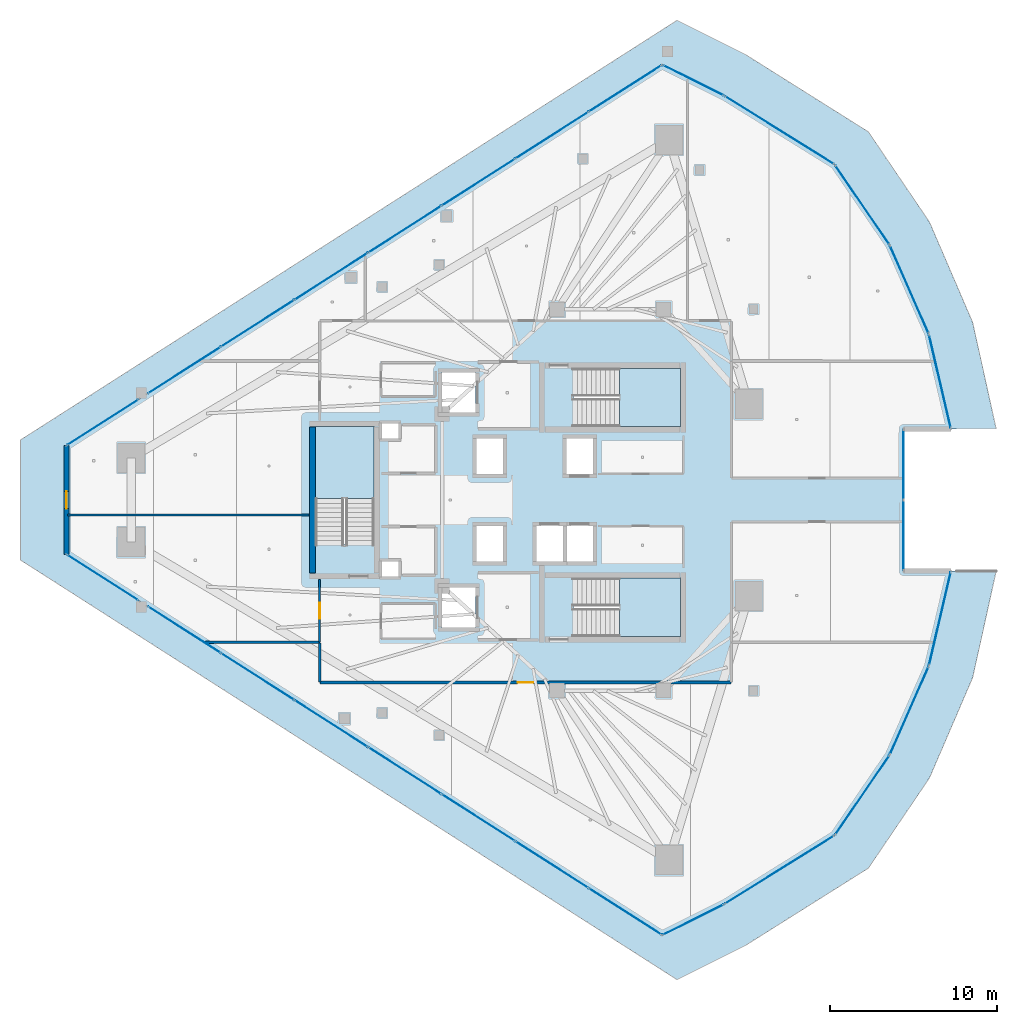
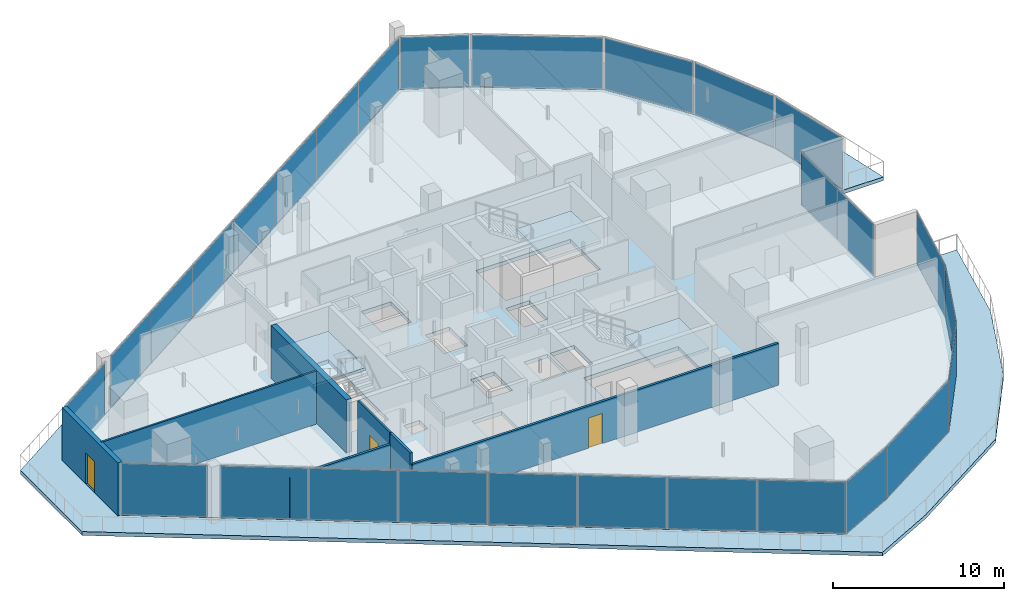
# One storey, part 23 of 33: 28 plates, 7 walls, 5 slabs, 3 doors, 3 openings, 18 elements without a shape of their own.
"""IFC4 building model written with IfcOpenShell, lengths in metres."""

from ifc_helpers import new_model, si_unit, direction, frame, frame_2d, origin, origin_2d, place, context, subcontext, project, spatial, polyline, rectangle, outline, extrude, material, layer, layer_set, type_object, element, fill, aggregate, save


model = new_model("IFC4")

# Units and contexts
model_context = context("Model", 3, precision=1e-05, world=origin(), true_north=direction((0.0, 1.0)))
body_context = subcontext(model_context, "Body", "Model", "MODEL_VIEW")
ifc_project = project(units=[si_unit("LENGTHUNIT", "METRE"), si_unit("AREAUNIT", "SQUARE_METRE"), si_unit("VOLUMEUNIT", "CUBIC_METRE"), si_unit("PLANEANGLEUNIT", "RADIAN"), si_unit("MASSUNIT", "GRAM", prefix="KILO")], contexts=[model_context])

# Site, building, storey
site_placement = place(None, origin())
site = spatial("IfcSite", under=ifc_project, at=site_placement, CompositionType="ELEMENT")
building_placement = place(site_placement, origin())
building = spatial("IfcBuilding", under=site, at=building_placement, Name="Qorvath Tower", CompositionType="ELEMENT")
storey_placement = place(building_placement, frame((0.0, 0.0, 221.25)))
storey = spatial("IfcBuildingStorey", under=building, at=storey_placement, Name="L51", CompositionType="ELEMENT", Elevation=221.25)

# Curtain wall, plate
ifc_material_1 = material(Name="Anodised aluminium and triple low-E glass", Category="aluminium")
ifc_layer_1 = layer(ifc_material_1, 0.179931640625)
ifc_layer_set_1 = layer_set([ifc_layer_1], Name="CW-SYS-3")
curtain_wall_type = type_object("IfcCurtainWallType", Name="CW-SYS-3", PredefinedType="NOTDEFINED", material=ifc_layer_set_1)
curtain_wall_1_placement = place(storey_placement, origin())
curtain_wall_1 = element("IfcCurtainWall", 1, at=curtain_wall_1_placement, inside=storey, type_object=curtain_wall_type, Name="Curtain Wall CW-3 CW-T-L51-2.1", PredefinedType="NOTDEFINED")
ifc_material_2 = material(Name="Low-E triple insulated glass", Category="glass")
ifc_layer_2 = layer(ifc_material_2, 0.031982421875)
ifc_layer_set_2 = layer_set([ifc_layer_2], Name="CWP-GLZ-32")
plate_type = type_object("IfcPlateType", Name="CWP-GLZ-32", PredefinedType="CURTAIN_PANEL", material=ifc_layer_set_2)
plate_1_placement = place(storey_placement, frame((-50.886962890625, -4.66064453125, 0.06494140625), z_axis=(0.0, 0.0, 1.0), x_axis=(0.842591558804, -0.53855312183, 0.0)))
plate_1 = element("IfcPlate", 2, at=plate_1_placement, type_object=plate_type, Name="CW-3 panel 1.1", PredefinedType="CURTAIN_PANEL", context=body_context, shape_type="SweptSolid", body=[
    extrude(rectangle(XDim=5.046630859375, YDim=0.031982421875, at=origin_2d()), origin(), (0.0, 0.0, 1.0), 3.64990234375),
])
aggregate(curtain_wall_1, [plate_1])

# Curtain wall, plates
curtain_wall_2_placement = place(storey_placement, origin())
curtain_wall_2 = element("IfcCurtainWall", 3, at=curtain_wall_2_placement, inside=storey, type_object=curtain_wall_type, Name="Curtain Wall CW-3 CW-T-L51-2.2", PredefinedType="NOTDEFINED")
plate_2_placement = place(storey_placement, frame((-45.986328125, -7.79296875, 0.06494140625), z_axis=(0.0, 0.0, 1.0), x_axis=(0.842603278224, -0.538534785809, 0.0)))
plate_2 = element("IfcPlate", 4, at=plate_2_placement, type_object=plate_type, Name="CW-3 panel 1.1", PredefinedType="CURTAIN_PANEL", context=body_context, shape_type="SweptSolid", body=[
    extrude(rectangle(XDim=5.144775390625, YDim=0.031982421875, at=origin_2d()), origin(), (0.0, 0.0, 1.0), 3.64990234375),
])
plate_3_placement = place(storey_placement, frame((-41.582763671875, -10.607177734375, 0.06494140625), z_axis=(0.0, 0.0, 1.0), x_axis=(0.842603278224, -0.538534785809, 0.0)))
plate_3 = element("IfcPlate", 5, at=plate_3_placement, type_object=plate_type, Name="CW-3 panel 2.1", PredefinedType="CURTAIN_PANEL", context=body_context, shape_type="SweptSolid", body=[
    extrude(rectangle(XDim=5.17724609375, YDim=0.031982421875, at=origin_2d()), origin(), (0.0, 0.0, 1.0), 3.64990234375),
])
plate_4_placement = place(storey_placement, frame((-37.165771484375, -13.430419921875, 0.06494140625), z_axis=(0.0, 0.0, 1.0), x_axis=(0.842603278224, -0.538534785809, 0.0)))
plate_4 = element("IfcPlate", 6, at=plate_4_placement, type_object=plate_type, Name="CW-3 panel 3.1", PredefinedType="CURTAIN_PANEL", context=body_context, shape_type="SweptSolid", body=[
    extrude(rectangle(XDim=5.17724609375, YDim=0.031982421875, at=origin_2d()), origin(), (0.0, 0.0, 1.0), 3.64990234375),
])
plate_5_placement = place(storey_placement, frame((-32.74853515625, -16.253662109375, 0.06494140625), z_axis=(0.0, 0.0, 1.0), x_axis=(0.842603278224, -0.538534785809, 0.0)))
plate_5 = element("IfcPlate", 7, at=plate_5_placement, type_object=plate_type, Name="CW-3 panel 4.1", PredefinedType="CURTAIN_PANEL", context=body_context, shape_type="SweptSolid", body=[
    extrude(rectangle(XDim=5.17724609375, YDim=0.031982421875, at=origin_2d()), origin(), (0.0, 0.0, 1.0), 3.64990234375),
])
plate_6_placement = place(storey_placement, frame((-28.33154296875, -19.07666015625, 0.06494140625), z_axis=(0.0, 0.0, 1.0), x_axis=(0.842603278224, -0.538534785809, 0.0)))
plate_6 = element("IfcPlate", 8, at=plate_6_placement, type_object=plate_type, Name="CW-3 panel 5.1", PredefinedType="CURTAIN_PANEL", context=body_context, shape_type="SweptSolid", body=[
    extrude(rectangle(XDim=5.17724609375, YDim=0.031982421875, at=origin_2d()), origin(), (0.0, 0.0, 1.0), 3.64990234375),
])
plate_7_placement = place(storey_placement, frame((-23.914306640625, -21.89990234375, 0.06494140625), z_axis=(0.0, 0.0, 1.0), x_axis=(0.842603278224, -0.538534785809, 0.0)))
plate_7 = element("IfcPlate", 9, at=plate_7_placement, type_object=plate_type, Name="CW-3 panel 6.1", PredefinedType="CURTAIN_PANEL", context=body_context, shape_type="SweptSolid", body=[
    extrude(rectangle(XDim=5.17724609375, YDim=0.031982421875, at=origin_2d()), origin(), (0.0, 0.0, 1.0), 3.64990234375),
])
plate_8_placement = place(storey_placement, frame((-19.5107421875, -24.714111328125, 0.06494140625), z_axis=(0.0, 0.0, 1.0), x_axis=(0.842603278224, -0.538534785809, 0.0)))
plate_8 = element("IfcPlate", 10, at=plate_8_placement, type_object=plate_type, Name="CW-3 panel 7.1", PredefinedType="CURTAIN_PANEL", context=body_context, shape_type="SweptSolid", body=[
    extrude(rectangle(XDim=5.144775390625, YDim=0.031982421875, at=origin_2d()), origin(), (0.0, 0.0, 1.0), 3.64990234375),
])
aggregate(curtain_wall_2, [plate_2, plate_3, plate_4, plate_5, plate_6, plate_7, plate_8])

# Curtain wall, plate
curtain_wall_3_placement = place(storey_placement, origin())
curtain_wall_3 = element("IfcCurtainWall", 11, at=curtain_wall_3_placement, inside=storey, type_object=curtain_wall_type, Name="Curtain Wall CW-3 CW-T-L51-3.1", PredefinedType="NOTDEFINED")
plate_9_placement = place(storey_placement, frame((-15.421630859375, -25.201171875, 0.06494140625), z_axis=(0.0, 0.0, 1.0), x_axis=(0.894422399869, 0.447223177633, 0.0)))
plate_9 = element("IfcPlate", 12, at=plate_9_placement, type_object=plate_type, Name="CW-3 panel 1.1", PredefinedType="CURTAIN_PANEL", context=body_context, shape_type="SweptSolid", body=[
    extrude(rectangle(XDim=4.04443359375, YDim=0.031982421875, at=origin_2d()), origin(), (0.0, 0.0, 1.0), 3.64990234375),
])
aggregate(curtain_wall_3, [plate_9])

curtain_wall_4_placement = place(storey_placement, origin())
curtain_wall_4 = element("IfcCurtainWall", 13, at=curtain_wall_4_placement, inside=storey, type_object=curtain_wall_type, Name="Curtain Wall CW-3 CW-T-L51-4.1", PredefinedType="NOTDEFINED")
plate_10_placement = place(storey_placement, frame((-10.2421875, -22.20263671875, 0.06494140625), z_axis=(0.0, 0.0, 1.0), x_axis=(0.848633086987, 0.528981931327, 0.0)))
plate_10 = element("IfcPlate", 14, at=plate_10_placement, type_object=plate_type, Name="CW-3 panel 1.1", PredefinedType="CURTAIN_PANEL", context=body_context, shape_type="SweptSolid", body=[
    extrude(rectangle(XDim=7.67724609375, YDim=0.031982421875, at=origin_2d()), origin(), (0.0, 0.0, 1.0), 3.64990234375),
])
aggregate(curtain_wall_4, [plate_10])

curtain_wall_5_placement = place(storey_placement, origin())
curtain_wall_5 = element("IfcCurtainWall", 15, at=curtain_wall_5_placement, inside=storey, type_object=curtain_wall_type, Name="Curtain Wall CW-3 CW-T-L51-5.1", PredefinedType="NOTDEFINED")
plate_11_placement = place(storey_placement, frame((-5.279541015625, -17.726806640625, 0.06494140625), z_axis=(0.0, 0.0, 1.0), x_axis=(0.564746495163, 0.825264440165, 0.0)))
plate_11 = element("IfcPlate", 16, at=plate_11_placement, type_object=plate_type, Name="CW-3 panel 1.1", PredefinedType="CURTAIN_PANEL", context=body_context, shape_type="SweptSolid", body=[
    extrude(rectangle(XDim=5.712890625, YDim=0.031982421875, at=origin_2d()), origin(), (0.0, 0.0, 1.0), 3.64990234375),
])
aggregate(curtain_wall_5, [plate_11])

curtain_wall_6_placement = place(storey_placement, origin())
curtain_wall_6 = element("IfcCurtainWall", 17, at=curtain_wall_6_placement, inside=storey, type_object=curtain_wall_type, Name="Curtain Wall CW-3 CW-T-L51-6.1", PredefinedType="NOTDEFINED")
plate_12_placement = place(storey_placement, frame((-2.452880859375, -12.6416015625, 0.06494140625), z_axis=(0.0, 0.0, 1.0), x_axis=(0.402724849666, 0.915321088723, 0.0)))
plate_12 = element("IfcPlate", 18, at=plate_12_placement, type_object=plate_type, Name="CW-3 panel 1.1", PredefinedType="CURTAIN_PANEL", context=body_context, shape_type="SweptSolid", body=[
    extrude(rectangle(XDim=5.713134765625, YDim=0.031982421875, at=origin_2d()), origin(), (0.0, 0.0, 1.0), 3.64990234375),
])
aggregate(curtain_wall_6, [plate_12])

curtain_wall_7_placement = place(storey_placement, origin())
curtain_wall_7 = element("IfcCurtainWall", 19, at=curtain_wall_7_placement, inside=storey, type_object=curtain_wall_type, Name="Curtain Wall CW-3 CW-T-L51-7.1", PredefinedType="NOTDEFINED")
plate_13_placement = place(storey_placement, frame((-0.61328125, -7.1220703125, 0.06494140625), z_axis=(0.0, 0.0, 1.0), x_axis=(0.226943936238, 0.97390782408, 0.0)))
plate_13 = element("IfcPlate", 20, at=plate_13_placement, type_object=plate_type, Name="CW-3 panel 1.1", PredefinedType="CURTAIN_PANEL", context=body_context, shape_type="SweptSolid", body=[
    extrude(rectangle(XDim=5.712890625, YDim=0.031982421875, at=origin_2d()), origin(), (0.0, 0.0, 1.0), 3.64990234375),
])
aggregate(curtain_wall_7, [plate_13])

# Curtain wall, plates
curtain_wall_8_placement = place(storey_placement, origin())
curtain_wall_8 = element("IfcCurtainWall", 21, at=curtain_wall_8_placement, inside=storey, type_object=curtain_wall_type, Name="Curtain Wall CW-3 CW-T-L51-9.1", PredefinedType="NOTDEFINED")
plate_14_placement = place(storey_placement, frame((-2.8017578125, -2.122314453125, 0.06494140625), z_axis=(0.0, 0.0, 1.0), x_axis=(0.0, 1.0, 0.0)))
plate_14 = element("IfcPlate", 22, at=plate_14_placement, type_object=plate_type, Name="CW-3 panel 1.1", PredefinedType="CURTAIN_PANEL", context=body_context, shape_type="SweptSolid", body=[
    extrude(rectangle(XDim=4.179443359375, YDim=0.031982421875, at=origin_2d()), origin(), (0.0, 0.0, 1.0), 3.64990234375),
])
plate_15_placement = place(storey_placement, frame((-2.8017578125, 2.122314453125, 0.06494140625), z_axis=(0.0, 0.0, 1.0), x_axis=(0.0, 1.0, 0.0)))
plate_15 = element("IfcPlate", 23, at=plate_15_placement, type_object=plate_type, Name="CW-3 panel 2.1", PredefinedType="CURTAIN_PANEL", context=body_context, shape_type="SweptSolid", body=[
    extrude(rectangle(XDim=4.179443359375, YDim=0.031982421875, at=origin_2d()), origin(), (0.0, 0.0, 1.0), 3.64990234375),
])
aggregate(curtain_wall_8, [plate_14, plate_15])

# Curtain wall, plate
curtain_wall_9_placement = place(storey_placement, origin())
curtain_wall_9 = element("IfcCurtainWall", 24, at=curtain_wall_9_placement, inside=storey, type_object=curtain_wall_type, Name="Curtain Wall CW-3 CW-T-L51-11.1", PredefinedType="NOTDEFINED")
plate_16_placement = place(storey_placement, frame((-0.61328125, 7.1220703125, 0.06494140625), z_axis=(0.0, 0.0, 1.0), x_axis=(-0.226943936238, 0.97390782408, 0.0)))
plate_16 = element("IfcPlate", 25, at=plate_16_placement, type_object=plate_type, Name="CW-3 panel 1.1", PredefinedType="CURTAIN_PANEL", context=body_context, shape_type="SweptSolid", body=[
    extrude(rectangle(XDim=5.712890625, YDim=0.031982421875, at=origin_2d()), origin(), (0.0, 0.0, 1.0), 3.64990234375),
])
aggregate(curtain_wall_9, [plate_16])

curtain_wall_10_placement = place(storey_placement, origin())
curtain_wall_10 = element("IfcCurtainWall", 26, at=curtain_wall_10_placement, inside=storey, type_object=curtain_wall_type, Name="Curtain Wall CW-3 CW-T-L51-12.1", PredefinedType="NOTDEFINED")
plate_17_placement = place(storey_placement, frame((-2.452880859375, 12.6416015625, 0.06494140625), z_axis=(0.0, 0.0, 1.0), x_axis=(-0.402724849666, 0.915321088723, 0.0)))
plate_17 = element("IfcPlate", 27, at=plate_17_placement, type_object=plate_type, Name="CW-3 panel 1.1", PredefinedType="CURTAIN_PANEL", context=body_context, shape_type="SweptSolid", body=[
    extrude(rectangle(XDim=5.713134765625, YDim=0.031982421875, at=origin_2d()), origin(), (0.0, 0.0, 1.0), 3.64990234375),
])
aggregate(curtain_wall_10, [plate_17])

curtain_wall_11_placement = place(storey_placement, origin())
curtain_wall_11 = element("IfcCurtainWall", 28, at=curtain_wall_11_placement, inside=storey, type_object=curtain_wall_type, Name="Curtain Wall CW-3 CW-T-L51-13.1", PredefinedType="NOTDEFINED")
plate_18_placement = place(storey_placement, frame((-5.279541015625, 17.726806640625, 0.06494140625), z_axis=(0.0, 0.0, 1.0), x_axis=(-0.564746495163, 0.825264440165, 0.0)))
plate_18 = element("IfcPlate", 29, at=plate_18_placement, type_object=plate_type, Name="CW-3 panel 1.1", PredefinedType="CURTAIN_PANEL", context=body_context, shape_type="SweptSolid", body=[
    extrude(rectangle(XDim=5.712890625, YDim=0.031982421875, at=origin_2d()), origin(), (0.0, 0.0, 1.0), 3.64990234375),
])
aggregate(curtain_wall_11, [plate_18])

curtain_wall_12_placement = place(storey_placement, origin())
curtain_wall_12 = element("IfcCurtainWall", 30, at=curtain_wall_12_placement, inside=storey, type_object=curtain_wall_type, Name="Curtain Wall CW-3 CW-T-L51-14.1", PredefinedType="NOTDEFINED")
plate_19_placement = place(storey_placement, frame((-10.2421875, 22.20263671875, 0.06494140625), z_axis=(0.0, 0.0, 1.0), x_axis=(-0.848633086987, 0.528981931327, 0.0)))
plate_19 = element("IfcPlate", 31, at=plate_19_placement, type_object=plate_type, Name="CW-3 panel 1.1", PredefinedType="CURTAIN_PANEL", context=body_context, shape_type="SweptSolid", body=[
    extrude(rectangle(XDim=7.67724609375, YDim=0.031982421875, at=origin_2d()), origin(), (0.0, 0.0, 1.0), 3.64990234375),
])
aggregate(curtain_wall_12, [plate_19])

curtain_wall_13_placement = place(storey_placement, origin())
curtain_wall_13 = element("IfcCurtainWall", 32, at=curtain_wall_13_placement, inside=storey, type_object=curtain_wall_type, Name="Curtain Wall CW-3 CW-T-L51-15.1", PredefinedType="NOTDEFINED")
plate_20_placement = place(storey_placement, frame((-15.421630859375, 25.201171875, 0.06494140625), z_axis=(0.0, 0.0, 1.0), x_axis=(-0.894422399869, 0.447223177633, 0.0)))
plate_20 = element("IfcPlate", 33, at=plate_20_placement, type_object=plate_type, Name="CW-3 panel 1.1", PredefinedType="CURTAIN_PANEL", context=body_context, shape_type="SweptSolid", body=[
    extrude(rectangle(XDim=4.04443359375, YDim=0.031982421875, at=origin_2d()), origin(), (0.0, 0.0, 1.0), 3.64990234375),
])
aggregate(curtain_wall_13, [plate_20])

# Curtain wall, plates
curtain_wall_14_placement = place(storey_placement, origin())
curtain_wall_14 = element("IfcCurtainWall", 34, at=curtain_wall_14_placement, inside=storey, type_object=curtain_wall_type, Name="Curtain Wall CW-3 CW-T-L51-16.1", PredefinedType="NOTDEFINED")
plate_21_placement = place(storey_placement, frame((-19.5107421875, 24.714111328125, 0.06494140625), z_axis=(0.0, 0.0, 1.0), x_axis=(-0.842603278224, -0.538534785809, 0.0)))
plate_21 = element("IfcPlate", 35, at=plate_21_placement, type_object=plate_type, Name="CW-3 panel 1.1", PredefinedType="CURTAIN_PANEL", context=body_context, shape_type="SweptSolid", body=[
    extrude(rectangle(XDim=5.144775390625, YDim=0.031982421875, at=origin_2d()), origin(), (0.0, 0.0, 1.0), 3.64990234375),
])
plate_22_placement = place(storey_placement, frame((-23.914306640625, 21.89990234375, 0.06494140625), z_axis=(0.0, 0.0, 1.0), x_axis=(-0.842603278224, -0.538534785809, 0.0)))
plate_22 = element("IfcPlate", 36, at=plate_22_placement, type_object=plate_type, Name="CW-3 panel 2.1", PredefinedType="CURTAIN_PANEL", context=body_context, shape_type="SweptSolid", body=[
    extrude(rectangle(XDim=5.17724609375, YDim=0.031982421875, at=origin_2d()), origin(), (0.0, 0.0, 1.0), 3.64990234375),
])
plate_23_placement = place(storey_placement, frame((-28.33154296875, 19.07666015625, 0.06494140625), z_axis=(0.0, 0.0, 1.0), x_axis=(-0.842603278224, -0.538534785809, 0.0)))
plate_23 = element("IfcPlate", 37, at=plate_23_placement, type_object=plate_type, Name="CW-3 panel 3.1", PredefinedType="CURTAIN_PANEL", context=body_context, shape_type="SweptSolid", body=[
    extrude(rectangle(XDim=5.17724609375, YDim=0.031982421875, at=origin_2d()), origin(), (0.0, 0.0, 1.0), 3.64990234375),
])
plate_24_placement = place(storey_placement, frame((-32.74853515625, 16.253662109375, 0.06494140625), z_axis=(0.0, 0.0, 1.0), x_axis=(-0.842603278224, -0.538534785809, 0.0)))
plate_24 = element("IfcPlate", 38, at=plate_24_placement, type_object=plate_type, Name="CW-3 panel 4.1", PredefinedType="CURTAIN_PANEL", context=body_context, shape_type="SweptSolid", body=[
    extrude(rectangle(XDim=5.17724609375, YDim=0.031982421875, at=origin_2d()), origin(), (0.0, 0.0, 1.0), 3.64990234375),
])
plate_25_placement = place(storey_placement, frame((-37.165771484375, 13.430419921875, 0.06494140625), z_axis=(0.0, 0.0, 1.0), x_axis=(-0.842603278224, -0.538534785809, 0.0)))
plate_25 = element("IfcPlate", 39, at=plate_25_placement, type_object=plate_type, Name="CW-3 panel 5.1", PredefinedType="CURTAIN_PANEL", context=body_context, shape_type="SweptSolid", body=[
    extrude(rectangle(XDim=5.17724609375, YDim=0.031982421875, at=origin_2d()), origin(), (0.0, 0.0, 1.0), 3.64990234375),
])
plate_26_placement = place(storey_placement, frame((-41.582763671875, 10.607177734375, 0.06494140625), z_axis=(0.0, 0.0, 1.0), x_axis=(-0.842603278224, -0.538534785809, 0.0)))
plate_26 = element("IfcPlate", 40, at=plate_26_placement, type_object=plate_type, Name="CW-3 panel 6.1", PredefinedType="CURTAIN_PANEL", context=body_context, shape_type="SweptSolid", body=[
    extrude(rectangle(XDim=5.17724609375, YDim=0.031982421875, at=origin_2d()), origin(), (0.0, 0.0, 1.0), 3.64990234375),
])
plate_27_placement = place(storey_placement, frame((-45.986328125, 7.79296875, 0.06494140625), z_axis=(0.0, 0.0, 1.0), x_axis=(-0.842603278224, -0.538534785809, 0.0)))
plate_27 = element("IfcPlate", 41, at=plate_27_placement, type_object=plate_type, Name="CW-3 panel 7.1", PredefinedType="CURTAIN_PANEL", context=body_context, shape_type="SweptSolid", body=[
    extrude(rectangle(XDim=5.144775390625, YDim=0.031982421875, at=origin_2d()), origin(), (0.0, 0.0, 1.0), 3.64990234375),
])
aggregate(curtain_wall_14, [plate_21, plate_22, plate_23, plate_24, plate_25, plate_26, plate_27])

# Curtain wall, plate
curtain_wall_15_placement = place(storey_placement, origin())
curtain_wall_15 = element("IfcCurtainWall", 42, at=curtain_wall_15_placement, inside=storey, type_object=curtain_wall_type, Name="Curtain Wall CW-3 CW-T-L51-16.2", PredefinedType="NOTDEFINED")
plate_28_placement = place(storey_placement, frame((-50.886962890625, 4.66064453125, 0.06494140625), z_axis=(0.0, 0.0, 1.0), x_axis=(-0.842591558804, -0.53855312183, 0.0)))
plate_28 = element("IfcPlate", 43, at=plate_28_placement, type_object=plate_type, Name="CW-3 panel 1.1", PredefinedType="CURTAIN_PANEL", context=body_context, shape_type="SweptSolid", body=[
    extrude(rectangle(XDim=5.046630859375, YDim=0.031982421875, at=origin_2d()), origin(), (0.0, 0.0, 1.0), 3.64990234375),
])
aggregate(curtain_wall_15, [plate_28])

# Stair, slab
ifc_material_3 = material(Name="Concrete C50/60", Category="concrete")
stair_type = type_object("IfcStairType", Name="ST-H405", PredefinedType="HALF_TURN_STAIR", material=ifc_material_3)
stair_1_placement = place(storey_placement, origin())
stair_1 = element("IfcStair", 44, at=stair_1_placement, inside=storey, type_object=stair_type, Name="L51 Tower Exit Stair 1", PredefinedType="HALF_TURN_STAIR")
ifc_material_4 = material(Name="Concrete C50/60", Category="concrete")
ifc_layer_3 = layer(ifc_material_4, 0.199951171875)
ifc_layer_set_3 = layer_set([ifc_layer_3], Name="SL-LND-200")
slab_type_1 = type_object("IfcSlabType", Name="SL-LND-200", PredefinedType="LANDING", material=ifc_layer_set_3)
slab_1_placement = place(storey_placement, frame((0.0, 0.0, 1.824951171875)))
slab_1 = element("IfcSlab", 45, at=slab_1_placement, type_object=slab_type_1, Name="TS1 landing 1", PredefinedType="LANDING", context=body_context, shape_type="SweptSolid", body=[
    extrude(outline(polyline([(-19.8701171875, 4.39990234375), (-16.199951171875, 4.39990234375), (-16.199951171875, 7.909912109375), (-19.8701171875, 7.909912109375), (-19.8701171875, 4.39990234375)])), origin(), (0.0, 0.0, 1.0), 0.199951171875),
])
aggregate(stair_1, [slab_1])

stair_2_placement = place(storey_placement, origin())
stair_2 = element("IfcStair", 46, at=stair_2_placement, inside=storey, type_object=stair_type, Name="L51 Tower Exit Stair 2", PredefinedType="HALF_TURN_STAIR")
slab_2_placement = place(storey_placement, frame((0.0, 0.0, 1.824951171875)))
slab_2 = element("IfcSlab", 47, at=slab_2_placement, type_object=slab_type_1, Name="TS2 landing 1", PredefinedType="LANDING", context=body_context, shape_type="SweptSolid", body=[
    extrude(outline(polyline([(-19.8701171875, -8.199951171875), (-16.199951171875, -8.199951171875), (-16.199951171875, -4.68994140625), (-19.8701171875, -4.68994140625), (-19.8701171875, -8.199951171875)])), origin(), (0.0, 0.0, 1.0), 0.199951171875),
])
aggregate(stair_2, [slab_2])

stair_3_placement = place(storey_placement, origin())
stair_3 = element("IfcStair", 48, at=stair_3_placement, inside=storey, type_object=stair_type, Name="L51 Tower Exit Stair 3", PredefinedType="HALF_TURN_STAIR")
slab_3_placement = place(storey_placement, frame((0.0, 0.0, 1.824951171875)))
slab_3 = element("IfcSlab", 49, at=slab_3_placement, type_object=slab_type_1, Name="TS3 landing 1", PredefinedType="LANDING", context=body_context, shape_type="SweptSolid", body=[
    extrude(outline(polyline([(-34.60009765625, 0.080078125), (-34.60009765625, 4.39990234375), (-38.110107421875, 4.39990234375), (-38.110107421875, 0.080078125), (-34.60009765625, 0.080078125)])), origin(), (0.0, 0.0, 1.0), 0.199951171875),
])
aggregate(stair_3, [slab_3])

# Slabs
ifc_material_5 = material(Name="Precast concrete C45/55", Category="concrete")
ifc_layer_4 = layer(ifc_material_5, 0.27001953125)
ifc_layer_set_4 = layer_set([ifc_layer_4], Name="SL-LOG-270")
slab_type_2 = type_object("IfcSlabType", Name="SL-LOG-270", PredefinedType="FLOOR", material=ifc_layer_set_4)
slab_4_placement = place(storey_placement, frame((0.0, 0.0, -0.27001953125)))
element("IfcSlab", 50, at=slab_4_placement, inside=storey, type_object=slab_type_2, Name="Tower L51 Perimeter Loggia and Terrace Slab", PredefinedType="FLOOR", context=body_context, shape_type="SweptSolid", body=[
    extrude(outline(polyline([(0.049560546875, -4.27685546875), (-1.2763671875, -9.96728515625), (-3.629638671875, -15.315673828125), (-6.929443359375, -20.1376953125), (-13.554931640625, -24.267578125), (-17.28857421875, -26.134521484375), (-53.06787109375, -3.266845703125), (-53.06787109375, 3.266845703125), (-17.28857421875, 26.134521484375), (-13.554931640625, 24.267578125), (-6.929443359375, 20.1376953125), (-3.629638671875, 15.315673828125), (-1.2763671875, 9.96728515625), (0.049560546875, 4.27685546875), (2.76611328125, 4.27685546875), (1.350830078125, 10.671142578125), (-1.2392578125, 16.686279296875), (-4.912109375, 22.108642578125), (-12.284423828125, 26.745361328125), (-16.399169921875, 28.802734375), (-55.831298828125, 3.600341796875), (-55.831298828125, -3.600341796875), (-16.399169921875, -28.802734375), (-12.284423828125, -26.745361328125), (-4.912109375, -22.108642578125), (-1.2392578125, -16.686279296875), (1.350830078125, -10.671142578125), (2.76611328125, -4.27685546875), (0.049560546875, -4.27685546875)])), origin(), (0.0, 0.0, 1.0), 0.27001953125),
])
ifc_material_6 = material(Name="Concrete C45/55", Category="concrete")
ifc_layer_5 = layer(ifc_material_6, 0.27001953125)
ifc_layer_set_5 = layer_set([ifc_layer_5], Name="SL-MID-270")
slab_type_3 = type_object("IfcSlabType", Name="SL-MID-270", PredefinedType="FLOOR", material=ifc_layer_set_5)
slab_5_placement = place(storey_placement, frame((0.0, 0.0, -0.27001953125)))
element("IfcSlab", 51, at=slab_5_placement, inside=storey, type_object=slab_type_3, Name="Tower L51 Interior Floor Slab", PredefinedType="FLOOR", context=body_context, shape_type="SweptSolid", body=[
    extrude(outline(polyline([(-53.06787109375, 3.266845703125), (-53.06787109375, -3.266845703125), (-17.28857421875, -26.134521484375), (-13.554931640625, -24.267578125), (-6.929443359375, -20.1376953125), (-3.629638671875, -15.315673828125), (-1.2763671875, -9.96728515625), (0.049560546875, -4.27685546875), (-2.8017578125, -4.27685546875), (-2.8017578125, 4.27685546875), (0.049560546875, 4.27685546875), (-1.2763671875, 9.96728515625), (-3.629638671875, 15.315673828125), (-6.929443359375, 20.1376953125), (-13.554931640625, 24.267578125), (-17.28857421875, 26.134521484375), (-53.06787109375, 3.266845703125)]), holes=[polyline([(-16.2451171875, -8.199951171875), (-22.625, -8.199951171875), (-22.625, -4.68994140625), (-16.2451171875, -4.68994140625), (-16.2451171875, -8.199951171875)]), polyline([(-22.625, 4.39990234375), (-22.625, 7.909912109375), (-16.2451171875, 7.909912109375), (-16.2451171875, 4.39990234375), (-22.625, 4.39990234375)]), polyline([(-21.449951171875, -3.699951171875), (-23.050048828125, -3.699951171875), (-23.050048828125, -1.550048828125), (-21.449951171875, -1.550048828125), (-21.449951171875, -3.699951171875)]), polyline([(-23.050048828125, 1.550048828125), (-23.050048828125, 3.699951171875), (-21.449951171875, 3.699951171875), (-21.449951171875, 1.550048828125), (-23.050048828125, 1.550048828125)]), polyline([(-24.85009765625, -3.699951171875), (-24.85009765625, -1.550048828125), (-23.25, -1.550048828125), (-23.25, -3.699951171875), (-24.85009765625, -3.699951171875)]), polyline([(-28.449951171875, -3.699951171875), (-28.449951171875, -1.550048828125), (-26.85009765625, -1.550048828125), (-26.85009765625, -3.699951171875), (-28.449951171875, -3.699951171875)]), polyline([(-26.85009765625, 1.550048828125), (-28.449951171875, 1.550048828125), (-28.449951171875, 3.699951171875), (-26.85009765625, 3.699951171875), (-26.85009765625, 1.550048828125)]), polyline([(-28.5, -7.64990234375), (-30.5, -7.64990234375), (-30.5, -5.25), (-28.5, -5.25), (-28.5, -7.64990234375)]), polyline([(-30.5, 5.25), (-30.5, 7.64990234375), (-28.5, 7.64990234375), (-28.5, 5.25), (-30.5, 5.25)]), polyline([(-34.14990234375, -4.6201171875), (-34.14990234375, -3.64990234375), (-33.10009765625, -3.64990234375), (-33.10009765625, -4.6201171875), (-34.14990234375, -4.6201171875)]), polyline([(-34.14990234375, 3.64990234375), (-34.14990234375, 4.6201171875), (-33.10009765625, 4.6201171875), (-33.10009765625, 3.64990234375), (-34.14990234375, 3.64990234375)]), polyline([(-34.60009765625, -2.675048828125), (-38.110107421875, -2.675048828125), (-38.110107421875, 4.35498046875), (-34.60009765625, 4.35498046875), (-34.60009765625, -2.675048828125)])]), origin(), (0.0, 0.0, 1.0), 0.27001953125),
])

# Wall, opening, door
ifc_material_7 = material(Name="Double acoustic gypsum board on steel studs", Category="steel")
ifc_layer_6 = layer(ifc_material_7, 0.159912109375)
ifc_layer_set_6 = layer_set([ifc_layer_6], Name="IW-ACOUSTIC-160")
wall_type_1 = type_object("IfcWallType", Name="IW-ACOUSTIC-160", PredefinedType="PARTITIONING", material=ifc_layer_set_6)
wall_1_placement = place(storey_placement, frame((-13.1669921875, -10.9580078125, 0.0), z_axis=(0.0, 0.0, 1.0), x_axis=(-1.0, 0.0, 0.0)))
wall_1 = element("IfcWall", 52, at=wall_1_placement, inside=storey, type_object=wall_type_1, Name="Interior Partition IW-T1-L51-034", PredefinedType="PARTITIONING", context=body_context, shape_type="SweptSolid", body=[
    extrude(rectangle(XDim=24.666015625, YDim=0.159912109375, at=frame_2d((12.3330078125, 0.0))), origin(), (0.0, 0.0, 1.0), 3.0),
])
opening_1_placement = place(wall_1_placement, frame((11.85791015625, 0.0, 0.0)))
opening_1 = element("IfcOpeningElement", 53, at=opening_1_placement, cuts=wall_1, Name="Opening D-T1-L51-10", PredefinedType="OPENING", context=body_context, shape_type="SweptSolid", body=[
    extrude(rectangle(XDim=0.949951171875, YDim=2.14990234375, at=frame_2d((0.47509765625, 1.074951171875))), frame((0.0, 0.08984375, 0.0), z_axis=(0.0, -1.0, 0.0), x_axis=(1.0, 0.0, 0.0)), (0.0, 0.0, 1.0), 0.179931640625),
])
ifc_material_8 = material(Name="Solid-core American white oak veneer", Category="wood")
door_type_1 = type_object("IfcDoorType", Name="D-01", OperationType="NOTDEFINED", PredefinedType="DOOR", material=ifc_material_8)
door_1_placement = place(opening_1_placement, origin())
door_1 = element("IfcDoor", 54, at=door_1_placement, inside=storey, type_object=door_type_1, Name="L51-04 Staff Wellness Studio Door D-T1-L51-10", OperationType="SINGLE_SWING_LEFT", OverallHeight=2.14990234375, OverallWidth=0.949951171875, PredefinedType="DOOR", context=body_context, shape_type="SweptSolid", body=[
    extrude(rectangle(XDim=0.949951171875, YDim=2.14990234375, at=frame_2d((0.47509765625, 1.074951171875))), frame((0.0, 0.02490234375, 0.0), z_axis=(0.0, -1.0, 0.0), x_axis=(1.0, 0.0, 0.0)), (0.0, 0.0, 1.0), 0.050048828125),
])
fill(opening_1, door_1)

# Walls
wall_2_placement = place(storey_placement, frame((-37.85791015625, -8.574951171875, 0.0), z_axis=(0.0, 0.0, 1.0), x_axis=(0.0, -1.0, 0.0)))
element("IfcWall", 55, at=wall_2_placement, inside=storey, type_object=wall_type_1, Name="Interior Partition IW-T1-L51-035", PredefinedType="PARTITIONING", context=body_context, shape_type="SweptSolid", body=[
    extrude(rectangle(XDim=2.358154296875, YDim=0.159912109375, at=frame_2d((1.17919921875, 0.0))), origin(), (0.0, 0.0, 1.0), 3.780029296875),
])
wall_3_placement = place(storey_placement, frame((-37.8828125, -8.550048828125, 0.0), z_axis=(0.0, 0.0, 1.0), x_axis=(-1.0, 0.0, 0.0)))
element("IfcWall", 56, at=wall_3_placement, inside=storey, type_object=wall_type_1, Name="Interior Partition IW-T1-L51-036", PredefinedType="PARTITIONING", context=body_context, shape_type="SweptSolid", body=[
    extrude(rectangle(XDim=6.8388671875, YDim=0.159912109375, at=frame_2d((3.41943359375, 0.0))), origin(), (0.0, 0.0, 1.0), 3.0),
])

# Wall, opening, door
ifc_material_9 = material(Name="Gypsum board on metal studs with mineral wool", Category="gypsum")
ifc_layer_7 = layer(ifc_material_9, 0.125)
ifc_layer_set_7 = layer_set([ifc_layer_7], Name="IW-PART-125")
wall_type_2 = type_object("IfcWallType", Name="IW-PART-125", PredefinedType="PARTITIONING", material=ifc_layer_set_7)
wall_4_placement = place(storey_placement, frame((-37.85791015625, -8.51708984375, 0.0), z_axis=(0.0, 0.0, 1.0), x_axis=(0.0, 1.0, 0.0)))
wall_4 = element("IfcWall", 57, at=wall_4_placement, inside=storey, type_object=wall_type_2, Name="Interior Partition IW-T1-L51-041", PredefinedType="PARTITIONING", context=body_context, shape_type="SweptSolid", body=[
    extrude(rectangle(XDim=3.73388671875, YDim=0.125, at=frame_2d((1.866943359375, 0.0))), origin(), (0.0, 0.0, 1.0), 3.780029296875),
])
opening_2_placement = place(wall_4_placement, frame((1.391845703125, 0.0, 0.0)))
opening_2 = element("IfcOpeningElement", 58, at=opening_2_placement, cuts=wall_4, Name="Opening D-T1-L51-13", PredefinedType="OPENING", context=body_context, shape_type="SweptSolid", body=[
    extrude(rectangle(XDim=0.949951171875, YDim=2.14990234375, at=frame_2d((0.47509765625, 1.074951171875))), frame((0.0, 0.072509765625, 0.0), z_axis=(0.0, -1.0, 0.0), x_axis=(1.0, 0.0, 0.0)), (0.0, 0.0, 1.0), 0.14501953125),
])
door_2_placement = place(opening_2_placement, origin())
door_2 = element("IfcDoor", 59, at=door_2_placement, inside=storey, type_object=door_type_1, Name="L51-07 Breakout Reading Alcove Door D-T1-L51-13", OperationType="SINGLE_SWING_RIGHT", OverallHeight=2.14990234375, OverallWidth=0.949951171875, PredefinedType="DOOR", context=body_context, shape_type="SweptSolid", body=[
    extrude(rectangle(XDim=0.949951171875, YDim=2.14990234375, at=frame_2d((0.47509765625, 1.074951171875))), frame((0.0, 0.02490234375, 0.0), z_axis=(0.0, -1.0, 0.0), x_axis=(1.0, 0.0, 0.0)), (0.0, 0.0, 1.0), 0.050048828125),
])
fill(opening_2, door_2)

# Walls
wall_5_placement = place(storey_placement, frame((-38.492919921875, -0.91015625, 0.0), z_axis=(0.0, 0.0, 1.0), x_axis=(-1.0, 0.0, 0.0)))
element("IfcWall", 60, at=wall_5_placement, inside=storey, type_object=wall_type_2, Name="Interior Partition IW-T1-L51-042", PredefinedType="PARTITIONING", context=body_context, shape_type="SweptSolid", body=[
    extrude(rectangle(XDim=14.494873046875, YDim=0.125, at=frame_2d((7.24755859375, 0.0))), origin(), (0.0, 0.0, 1.0), 3.780029296875),
])
ifc_material_10 = material(Name="Concrete C60/75", Category="concrete")
ifc_layer_8 = layer(ifc_material_10, 0.35009765625)
ifc_layer_set_8 = layer_set([ifc_layer_8], Name="SW-STAIR")
wall_type_3 = type_object("IfcWallType", Name="SW-STAIR", PredefinedType="SHEAR", material=ifc_layer_set_8)
wall_6_placement = place(storey_placement, frame((-38.284912109375, 4.385009765625, 0.0), z_axis=(0.0, 0.0, 1.0), x_axis=(0.0, -1.0, 0.0)))
element("IfcWall", 61, at=wall_6_placement, inside=storey, type_object=wall_type_3, Name="Stair TS3 Shear Wall L51 RIGHT", PredefinedType="SHEAR", context=body_context, shape_type="SweptSolid", body=[
    extrude(rectangle(XDim=8.77001953125, YDim=0.35009765625, at=frame_2d((4.385009765625, 0.0))), origin(), (0.0, 0.0, 1.0), 3.780029296875),
])

# Wall, opening, door
ifc_material_11 = material(Name="Precast concrete C45/55", Category="concrete")
ifc_layer_9 = layer(ifc_material_11, 0.300048828125)
ifc_layer_set_9 = layer_set([ifc_layer_9], Name="WL-EW-LOG-300")
wall_type_4 = type_object("IfcWallType", Name="WL-EW-LOG-300", PredefinedType="SOLIDWALL", material=ifc_layer_set_9)
wall_7_placement = place(storey_placement, frame((-53.06787109375, -3.266845703125, 0.0), z_axis=(0.0, 0.0, 1.0), x_axis=(0.0, 1.0, 0.0)))
wall_7 = element("IfcWall", 62, at=wall_7_placement, inside=storey, type_object=wall_type_4, Name="Tower Precast Loggia Wall L51-1.1", PredefinedType="SOLIDWALL", context=body_context, shape_type="SweptSolid", body=[
    extrude(rectangle(XDim=6.53369140625, YDim=0.300048828125, at=frame_2d((3.266845703125, 0.0))), origin(), (0.0, 0.0, 1.0), 3.780029296875),
])
opening_3_placement = place(wall_7_placement, frame((2.74169921875, 0.0, 0.0)))
opening_3 = element("IfcOpeningElement", 63, at=opening_3_placement, cuts=wall_7, Name="Opening ED-L51-01", PredefinedType="OPENING", context=body_context, shape_type="SweptSolid", body=[
    extrude(rectangle(XDim=1.050048828125, YDim=2.199951171875, at=frame_2d((0.52490234375, 1.10009765625))), frame((0.0, 0.16015625, 0.0), z_axis=(0.0, -1.0, 0.0), x_axis=(1.0, 0.0, 0.0)), (0.0, 0.0, 1.0), 0.320068359375),
])
ifc_material_12 = material(Name="Thermally broken aluminium glazed door", Category="aluminium")
door_type_2 = type_object("IfcDoorType", Name="ED-LOG", OperationType="NOTDEFINED", PredefinedType="DOOR", material=ifc_material_12)
door_3_placement = place(opening_3_placement, origin())
door_3 = element("IfcDoor", 64, at=door_3_placement, inside=storey, type_object=door_type_2, Name="L51 Recessed Loggia Access Door 1", OperationType="SINGLE_SWING_RIGHT", OverallHeight=2.199951171875, OverallWidth=1.050048828125, PredefinedType="DOOR", context=body_context, shape_type="SweptSolid", body=[
    extrude(rectangle(XDim=1.050048828125, YDim=2.199951171875, at=frame_2d((0.52490234375, 1.10009765625))), frame((0.0, 0.02490234375, 0.0), z_axis=(0.0, -1.0, 0.0), x_axis=(1.0, 0.0, 0.0)), (0.0, 0.0, 1.0), 0.050048828125),
])
fill(opening_3, door_3)

save(model, "model.ifc")
